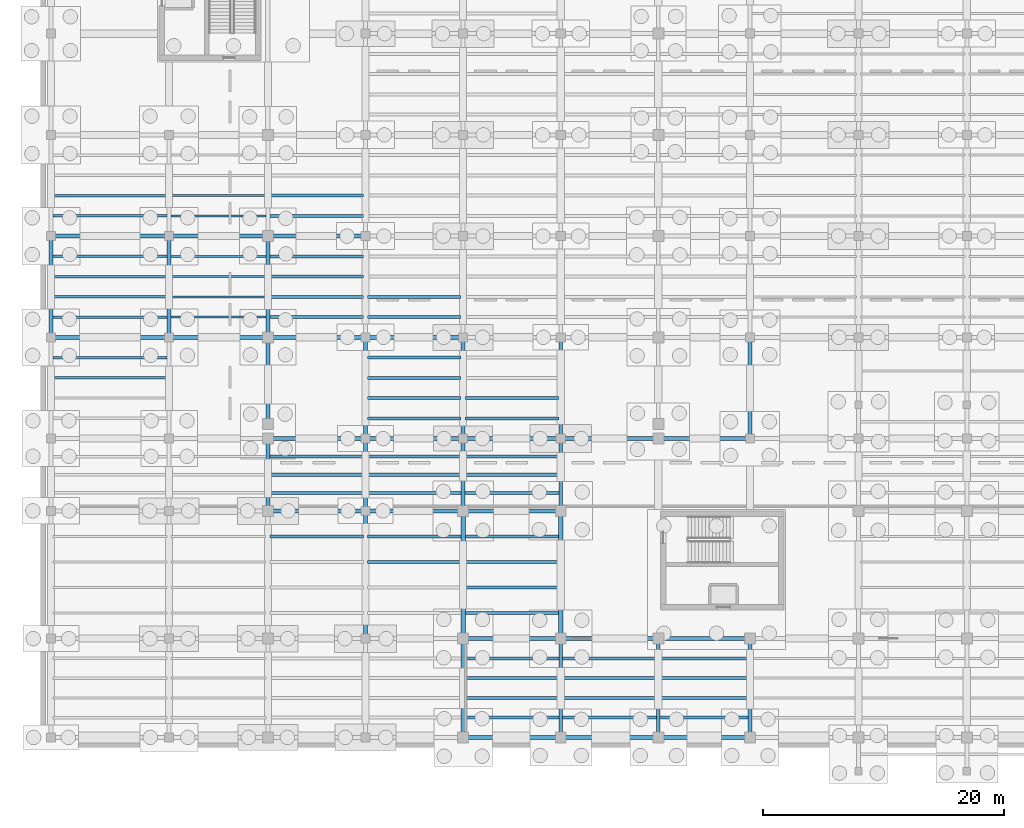
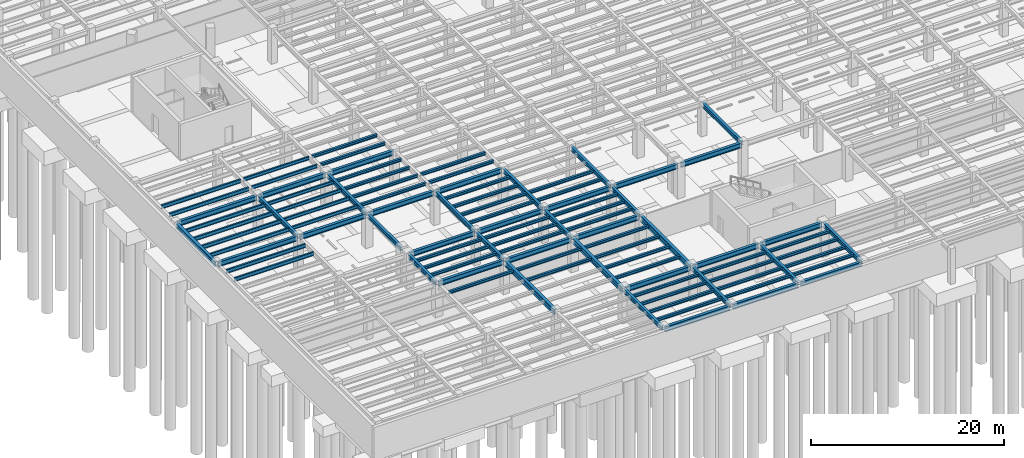
# One storey, part 19 of 49: 96 beams.
"""IFC4 building model written with IfcOpenShell, lengths in metres."""

import ifcopenshell
import ifcopenshell.guid

model = None  # the IFC model being written
_history = None  # IfcOwnerHistory: only IFC2X3 demands one
_inside = {}  # id of a spatial element -> (the spatial element, [elements in it])
_under = {}  # id of a project, library or spatial element -> (it, [spatial elements below it])
_declared = {}  # id of a project -> (the project, [libraries it declares])
_typed = {}  # id of a type object -> (the type object, [elements of that type])
_made_of = {}  # id of a material, layer set ... -> (it, [elements and type objects made of it])


def new_model(schema):
    """Start an empty IFC model of exactly this schema.

    Asked for "IFC4X3", IfcOpenShell would pick the latest addendum, in which some entities
    have other attributes; the version numbers below select the first issue.
    IFC2X3 requires an IfcOwnerHistory on every rooted entity: one is made here for all.
    """
    global model, _history
    if schema == "IFC4X3":
        model = ifcopenshell.file(schema_version=(4, 3, 0, 0))
    else:
        model = ifcopenshell.file(schema=schema)
    _inside.clear()
    _under.clear()
    _declared.clear()
    _typed.clear()
    _made_of.clear()
    _history = None
    if model.schema == "IFC2X3":
        org = make("IfcOrganization", Name="unknown")
        user = make(
            "IfcPersonAndOrganization",
            ThePerson=make("IfcPerson", FamilyName="unknown"),
            TheOrganization=org,
        )
        app = make(
            "IfcApplication",
            ApplicationDeveloper=org,
            Version="unknown",
            ApplicationFullName="unknown",
            ApplicationIdentifier="unknown",
        )
        _history = make(
            "IfcOwnerHistory",
            OwningUser=user,
            OwningApplication=app,
            ChangeAction="ADDED",
            CreationDate=0,
        )
    return model


def make(cls, **values):
    """One entity of the class cls with the attributes given. An attribute that is None is left unset."""
    return model.create_entity(
        cls, **{name: value for name, value in values.items() if value is not None}
    )


def rooted(cls, **values):
    """An entity with a GlobalId (a new one), such as an element, a storey or a relation."""
    return make(cls, GlobalId=ifcopenshell.guid.new(), OwnerHistory=_history, **values)


def si_unit(unit_type, name, prefix=None):
    """IfcSIUnit, for example si_unit("LENGTHUNIT", "METRE", prefix="MILLI")."""
    return make("IfcSIUnit", UnitType=unit_type, Prefix=prefix, Name=name)


def assignment(units):
    """IfcUnitAssignment: the units of a project."""
    return None if units is None else make("IfcUnitAssignment", Units=units)


def point(xyz):
    """IfcCartesianPoint."""
    return None if xyz is None else make("IfcCartesianPoint", Coordinates=xyz)


def direction(xyz):
    """IfcDirection."""
    return None if xyz is None else make("IfcDirection", DirectionRatios=xyz)


def frame(location, z_axis=None, x_axis=None):
    """IfcAxis2Placement3D, a coordinate frame: its origin and axes. An axis left out is left unset."""
    return make(
        "IfcAxis2Placement3D",
        Location=point(location),
        Axis=direction(z_axis),
        RefDirection=direction(x_axis),
    )


def frame_2d(location, x_axis=None):
    """IfcAxis2Placement2D, a coordinate frame in the plane: its origin and x axis."""
    return make(
        "IfcAxis2Placement2D", Location=point(location), RefDirection=direction(x_axis)
    )


def origin():
    """The frame at (0, 0, 0) with its axes left unset."""
    return frame((0.0, 0.0, 0.0))


def origin_2d():
    """The frame at (0, 0) in the plane with its x axis left unset."""
    return frame_2d((0.0, 0.0))


def place(relative_to, where):
    """IfcLocalPlacement: puts the frame where relative to a parent placement (None: the world)."""
    return make(
        "IfcLocalPlacement", PlacementRelTo=relative_to, RelativePlacement=where
    )


def context(
    kind, dimensions, precision=None, world=None, true_north=None, identifier=None
):
    """IfcGeometricRepresentationContext, for example the 3D "Model" context."""
    return make(
        "IfcGeometricRepresentationContext",
        ContextIdentifier=identifier,
        ContextType=kind,
        CoordinateSpaceDimension=dimensions,
        Precision=precision,
        WorldCoordinateSystem=world,
        TrueNorth=true_north,
    )


def subcontext(parent, identifier, kind, view, scale=None):
    """IfcGeometricRepresentationSubContext, for example "Body" below "Model"."""
    return make(
        "IfcGeometricRepresentationSubContext",
        ContextIdentifier=identifier,
        ContextType=kind,
        ParentContext=parent,
        TargetScale=scale,
        TargetView=view,
    )


def project(units=None, contexts=None):
    """IfcProject with its units and contexts."""
    return rooted(
        "IfcProject",
        Name="project",
        RepresentationContexts=contexts,
        UnitsInContext=assignment(units),
    )


def spatial(cls, under=None, at=None, **own):
    """A site, building, storey or space (cls), placed at a placement, below another one or the project."""
    s = rooted(cls, ObjectPlacement=at, **own)
    if under is not None:
        _under.setdefault(under.id(), (under, []))[1].append(s)
    return s


def profile(cls, at=None, kind="AREA", **sizes):
    """A parametric profile (cls). Its sizes go by their IFC names, for example OverallWidth=200.0."""
    return make(cls, ProfileType=kind, Position=at, **sizes)


def i_section(**sizes):
    """IfcIShapeProfileDef."""
    return profile("IfcIShapeProfileDef", **sizes)


def extrude(swept, where, along, depth):
    """IfcExtrudedAreaSolid: the profile swept, set in the frame where, extruded along a direction by depth."""
    return make(
        "IfcExtrudedAreaSolid",
        SweptArea=swept,
        Position=where,
        ExtrudedDirection=direction(along),
        Depth=depth,
    )


def shape(context_of_items, identifier, shape_type, items):
    """IfcShapeRepresentation: the items that make up one representation, for example the "Body"."""
    return make(
        "IfcShapeRepresentation",
        ContextOfItems=context_of_items,
        RepresentationIdentifier=identifier,
        RepresentationType=shape_type,
        Items=items,
    )


def material(Name=None, Category=None):
    """IfcMaterial."""
    return make("IfcMaterial", Name=Name, Category=Category)


def material_profile(
    of_material, cross_section, Name=None, Category=None, Priority=None
):
    """IfcMaterialProfile: a cross section and its material."""
    return make(
        "IfcMaterialProfile",
        Name=Name,
        Material=of_material,
        Profile=cross_section,
        Priority=Priority,
        Category=Category,
    )


def profile_set(profiles, Name=None, composite=None):
    """IfcMaterialProfileSet."""
    return make(
        "IfcMaterialProfileSet",
        Name=Name,
        MaterialProfiles=profiles,
        CompositeProfile=composite,
    )


def made_of(thing, what):
    """Note that an element or type object is made of a material, layer set ...; save() writes the relation."""
    if what is not None:
        _made_of.setdefault(what.id(), (what, []))[1].append(thing)
    return thing


def type_object(cls, material=None, **own):
    """A type object (cls), such as IfcWallType, which elements share."""
    return made_of(rooted(cls, **own), material)


def element(
    cls,
    number,
    at=None,
    inside=None,
    cuts=None,
    type_object=None,
    material=None,
    context=None,
    identifier="Body",
    shape_type=None,
    held_by="IfcProductDefinitionShape",
    body=None,
    shapes=None,
    **own,
):
    """One element of the class cls, such as IfcWall. Its Tag is "e" and its number.

    at: its placement. inside: the storey or other place that contains it. cuts: it is an
    opening in that element (IfcRelVoidsElement). A single representation is given by context,
    identifier, shape_type and body (its items); several are given by shapes. held_by: the class
    of the entity that holds the representations. save() writes the other relations.
    """
    e = rooted(cls, Tag="e%d" % number, ObjectPlacement=at, **own)
    if body is not None:
        shapes = [shape(context, identifier, shape_type, body)]
    if shapes is not None:
        e.Representation = make(held_by, Representations=shapes)
    if inside is not None:
        _inside.setdefault(inside.id(), (inside, []))[1].append(e)
    if cuts is not None:
        rooted(
            "IfcRelVoidsElement", RelatingBuildingElement=cuts, RelatedOpeningElement=e
        )
    if type_object is not None:
        _typed.setdefault(type_object.id(), (type_object, []))[1].append(e)
    return made_of(e, material)


def aggregate(whole, parts):
    """IfcRelAggregates: a whole, such as a stair, and the parts it consists of."""
    return rooted("IfcRelAggregates", RelatingObject=whole, RelatedObjects=parts)


def save(model, path):
    """Write the relations noted so far, then the file.

    IfcRelAggregates (storeys below a building ...), IfcRelContainedInSpatialStructure (elements
    in a storey), IfcRelDefinesByType, IfcRelAssociatesMaterial and IfcRelDeclares: one each for
    every whole, place, type object, material and project.
    """
    for whole, parts in _under.values():
        aggregate(whole, parts)
    for where, things in _inside.values():
        rooted(
            "IfcRelContainedInSpatialStructure",
            RelatedElements=things,
            RelatingStructure=where,
        )
    for kind, things in _typed.values():
        rooted("IfcRelDefinesByType", RelatedObjects=things, RelatingType=kind)
    for what, things in _made_of.values():
        rooted("IfcRelAssociatesMaterial", RelatedObjects=things, RelatingMaterial=what)
    for by, libraries in _declared.values():
        rooted("IfcRelDeclares", RelatingContext=by, RelatedDefinitions=libraries)
    model.write(path)


model = new_model("IFC4")

# Units and contexts
model_context = context("Model", 3, precision=1e-05, world=origin(), true_north=direction((0.0, 1.0)))
body_context = subcontext(model_context, "Body", "Model", "MODEL_VIEW")
ifc_project = project(units=[si_unit("LENGTHUNIT", "METRE"), si_unit("AREAUNIT", "SQUARE_METRE"), si_unit("VOLUMEUNIT", "CUBIC_METRE"), si_unit("PLANEANGLEUNIT", "RADIAN"), si_unit("MASSUNIT", "GRAM", prefix="KILO")], contexts=[model_context])

# Site, building, storey
site_placement = place(None, origin())
site = spatial("IfcSite", under=ifc_project, at=site_placement, CompositionType="ELEMENT")
building_placement = place(site_placement, origin())
building = spatial("IfcBuilding", under=site, at=building_placement, Name="Sollismere Congress Hotel", CompositionType="ELEMENT")
storey_placement = place(building_placement, frame((0.0, 0.0, -4.5)))
storey = spatial("IfcBuildingStorey", under=building, at=storey_placement, Name="B1", CompositionType="ELEMENT", Elevation=-4.5)

# Beams
ifc_material = material(Name="Steel ASTM A992 Grade 50", Category="steel")
ifc_material_profile_1 = material_profile(ifc_material, i_section(OverallWidth=0.31494140625, OverallDepth=0.551025390625, WebThickness=0.01513671875, FlangeThickness=0.0244140625, at=origin_2d()), Name="W21X122")
ifc_profile_set_1 = profile_set([ifc_material_profile_1], Name="Steel ASTM A992 Grade 50")
beam_type_1 = type_object("IfcBeamType", Name="BM-G21H", PredefinedType="BEAM", material=ifc_profile_set_1)
beam_1_placement = place(storey_placement, frame((9.800048828125, 33.340087890625, 3.924560546875), z_axis=(0.0, 1.0, 0.0), x_axis=(-1.0, 0.0, 0.0)))
element("IfcBeam", 1, at=beam_1_placement, inside=storey, type_object=beam_type_1, Name="Beam BM-B1-0250", PredefinedType="BEAM", context=body_context, shape_type="SweptSolid", body=[
    extrude(i_section(OverallWidth=0.31494140625, OverallDepth=0.551025390625, WebThickness=0.01513671875, FlangeThickness=0.0244140625, at=origin_2d()), origin(), (0.0, 0.0, 1.0), 8.119873046875),
])
beam_2_placement = place(storey_placement, frame((18.0, 18.93994140625, 3.924560546875), z_axis=(0.0, 1.0, 0.0), x_axis=(-1.0, 0.0, 0.0)))
element("IfcBeam", 2, at=beam_2_placement, inside=storey, type_object=beam_type_1, Name="Beam BM-B1-0258", PredefinedType="BEAM", context=body_context, shape_type="SweptSolid", body=[
    extrude(i_section(OverallWidth=0.31494140625, OverallDepth=0.551025390625, WebThickness=0.01513671875, FlangeThickness=0.0244140625, at=origin_2d()), origin(), (0.0, 0.0, 1.0), 5.719970703125),
])
beam_3_placement = place(storey_placement, frame((18.0, 26.139892578125, 3.924560546875), z_axis=(0.0, 1.0, 0.0), x_axis=(-1.0, 0.0, 0.0)))
element("IfcBeam", 3, at=beam_3_placement, inside=storey, type_object=beam_type_1, Name="Beam BM-B1-0259", PredefinedType="BEAM", context=body_context, shape_type="SweptSolid", body=[
    extrude(i_section(OverallWidth=0.31494140625, OverallDepth=0.551025390625, WebThickness=0.01513671875, FlangeThickness=0.0244140625, at=origin_2d()), origin(), (0.0, 0.0, 1.0), 6.920166015625),
])
beam_4_placement = place(storey_placement, frame((18.0, 33.340087890625, 3.924560546875), z_axis=(0.0, 1.0, 0.0), x_axis=(-1.0, 0.0, 0.0)))
element("IfcBeam", 4, at=beam_4_placement, inside=storey, type_object=beam_type_1, Name="Beam BM-B1-0260", PredefinedType="BEAM", context=body_context, shape_type="SweptSolid", body=[
    extrude(i_section(OverallWidth=0.31494140625, OverallDepth=0.551025390625, WebThickness=0.01513671875, FlangeThickness=0.0244140625, at=origin_2d()), origin(), (0.0, 0.0, 1.0), 8.119873046875),
])
beam_5_placement = place(storey_placement, frame((26.10009765625, 18.93994140625, 3.924560546875), z_axis=(0.0, 1.0, 0.0), x_axis=(-1.0, 0.0, 0.0)))
element("IfcBeam", 5, at=beam_5_placement, inside=storey, type_object=beam_type_1, Name="Beam BM-B1-0270", PredefinedType="BEAM", context=body_context, shape_type="SweptSolid", body=[
    extrude(i_section(OverallWidth=0.31494140625, OverallDepth=0.551025390625, WebThickness=0.01513671875, FlangeThickness=0.0244140625, at=origin_2d()), origin(), (0.0, 0.0, 1.0), 5.719970703125),
])
beam_6_placement = place(storey_placement, frame((26.10009765625, 24.93994140625, 3.924560546875), z_axis=(0.0, 1.0, 0.0), x_axis=(-1.0, 0.0, 0.0)))
element("IfcBeam", 6, at=beam_6_placement, inside=storey, type_object=beam_type_1, Name="Beam BM-B1-0271", PredefinedType="BEAM", context=body_context, shape_type="SweptSolid", body=[
    extrude(i_section(OverallWidth=0.31494140625, OverallDepth=0.551025390625, WebThickness=0.01513671875, FlangeThickness=0.0244140625, at=origin_2d()), origin(), (0.0, 0.0, 1.0), 8.1201171875),
])
beam_7_placement = place(storey_placement, frame((34.199951171875, 0.139892578125, 3.924560546875), z_axis=(0.0, 1.0, 0.0), x_axis=(-1.0, 0.0, 0.0)))
element("IfcBeam", 7, at=beam_7_placement, inside=storey, type_object=beam_type_1, Name="Beam BM-B1-0281", PredefinedType="BEAM", context=body_context, shape_type="SweptSolid", body=[
    extrude(i_section(OverallWidth=0.31494140625, OverallDepth=0.551025390625, WebThickness=0.01513671875, FlangeThickness=0.0244140625, at=origin_2d()), origin(), (0.0, 0.0, 1.0), 7.920166015625),
])
beam_8_placement = place(storey_placement, frame((34.199951171875, 18.93994140625, 3.924560546875), z_axis=(0.0, 1.0, 0.0), x_axis=(-1.0, 0.0, 0.0)))
element("IfcBeam", 8, at=beam_8_placement, inside=storey, type_object=beam_type_1, Name="Beam BM-B1-0283", PredefinedType="BEAM", context=body_context, shape_type="SweptSolid", body=[
    extrude(i_section(OverallWidth=0.31494140625, OverallDepth=0.551025390625, WebThickness=0.01513671875, FlangeThickness=0.0244140625, at=origin_2d()), origin(), (0.0, 0.0, 1.0), 5.719970703125),
])
beam_9_placement = place(storey_placement, frame((34.199951171875, 24.93994140625, 3.924560546875), z_axis=(0.0, 1.0, 0.0), x_axis=(-1.0, 0.0, 0.0)))
element("IfcBeam", 9, at=beam_9_placement, inside=storey, type_object=beam_type_1, Name="Beam BM-B1-0284", PredefinedType="BEAM", context=body_context, shape_type="SweptSolid", body=[
    extrude(i_section(OverallWidth=0.31494140625, OverallDepth=0.551025390625, WebThickness=0.01513671875, FlangeThickness=0.0244140625, at=origin_2d()), origin(), (0.0, 0.0, 1.0), 8.1201171875),
])
beam_10_placement = place(storey_placement, frame((42.300048828125, 0.139892578125, 3.924560546875), z_axis=(0.0, 1.0, 0.0), x_axis=(-1.0, 0.0, 0.0)))
element("IfcBeam", 10, at=beam_10_placement, inside=storey, type_object=beam_type_1, Name="Beam BM-B1-0294", PredefinedType="BEAM", context=body_context, shape_type="SweptSolid", body=[
    extrude(i_section(OverallWidth=0.31494140625, OverallDepth=0.551025390625, WebThickness=0.01513671875, FlangeThickness=0.0244140625, at=origin_2d()), origin(), (0.0, 0.0, 1.0), 7.920166015625),
])
beam_11_placement = place(storey_placement, frame((42.300048828125, 18.93994140625, 3.924560546875), z_axis=(0.0, 1.0, 0.0), x_axis=(-1.0, 0.0, 0.0)))
element("IfcBeam", 11, at=beam_11_placement, inside=storey, type_object=beam_type_1, Name="Beam BM-B1-0296", PredefinedType="BEAM", context=body_context, shape_type="SweptSolid", body=[
    extrude(i_section(OverallWidth=0.31494140625, OverallDepth=0.551025390625, WebThickness=0.01513671875, FlangeThickness=0.0244140625, at=origin_2d()), origin(), (0.0, 0.0, 1.0), 5.719970703125),
])
beam_12_placement = place(storey_placement, frame((42.300048828125, 24.93994140625, 3.924560546875), z_axis=(0.0, 1.0, 0.0), x_axis=(-1.0, 0.0, 0.0)))
element("IfcBeam", 12, at=beam_12_placement, inside=storey, type_object=beam_type_1, Name="Beam BM-B1-0297", PredefinedType="BEAM", context=body_context, shape_type="SweptSolid", body=[
    extrude(i_section(OverallWidth=0.31494140625, OverallDepth=0.551025390625, WebThickness=0.01513671875, FlangeThickness=0.0244140625, at=origin_2d()), origin(), (0.0, 0.0, 1.0), 8.1201171875),
])
for number, where, z_axis, x_axis, name in (
    (13, (50.39990234375, 0.139892578125, 3.924560546875), (0.0, 1.0, 0.0), (-1.0, 0.0, 0.0), "Beam BM-B1-0307"),
    (14, (58.0, 0.139892578125, 3.924560546875), (0.0, 1.0, 0.0), (-1.0, 0.0, 0.0), "Beam BM-B1-0315"),
):
    element("IfcBeam", number, at=place(storey_placement, frame(where, z_axis=z_axis, x_axis=x_axis)), inside=storey, type_object=beam_type_1, Name=name, PredefinedType="BEAM", context=body_context, shape_type="SweptSolid", body=[
        extrude(i_section(OverallWidth=0.31494140625, OverallDepth=0.551025390625, WebThickness=0.01513671875, FlangeThickness=0.0244140625, at=origin_2d()), origin(), (0.0, 0.0, 1.0), 7.920166015625),
    ])
beam_13_placement = place(storey_placement, frame((58.0, 24.93994140625, 3.924560546875), z_axis=(0.0, 1.0, 0.0), x_axis=(-1.0, 0.0, 0.0)))
element("IfcBeam", 15, at=beam_13_placement, inside=storey, type_object=beam_type_1, Name="Beam BM-B1-0316", PredefinedType="BEAM", context=body_context, shape_type="SweptSolid", body=[
    extrude(i_section(OverallWidth=0.31494140625, OverallDepth=0.551025390625, WebThickness=0.01513671875, FlangeThickness=0.0244140625, at=origin_2d()), origin(), (0.0, 0.0, 1.0), 8.1201171875),
])
ifc_material_profile_2 = material_profile(ifc_material, i_section(OverallWidth=0.324951171875, OverallDepth=0.612060546875, WebThickness=0.0126953125, FlangeThickness=0.01904296875, at=origin_2d()), Name="W24X104")
ifc_profile_set_2 = profile_set([ifc_material_profile_2], Name="Steel ASTM A992 Grade 50")
beam_type_2 = type_object("IfcBeamType", Name="BM-G24", PredefinedType="BEAM", material=ifc_profile_set_2)
beam_14_placement = place(storey_placement, frame((34.340087890625, 8.199951171875, 3.89404296875), z_axis=(1.0, 0.0, 0.0), x_axis=(0.0, 1.0, 0.0)))
element("IfcBeam", 16, at=beam_14_placement, inside=storey, type_object=beam_type_2, Name="Beam BM-B1-0023", PredefinedType="BEAM", context=body_context, shape_type="SweptSolid", body=[
    extrude(i_section(OverallWidth=0.324951171875, OverallDepth=0.612060546875, WebThickness=0.0126953125, FlangeThickness=0.01904296875, at=origin_2d()), origin(), (0.0, 0.0, 1.0), 7.81982421875),
])
beam_15_placement = place(storey_placement, frame((42.43994140625, 8.199951171875, 3.89404296875), z_axis=(1.0, 0.0, 0.0), x_axis=(0.0, 1.0, 0.0)))
element("IfcBeam", 17, at=beam_15_placement, inside=storey, type_object=beam_type_2, Name="Beam BM-B1-0024", PredefinedType="BEAM", context=body_context, shape_type="SweptSolid", body=[
    extrude(i_section(OverallWidth=0.324951171875, OverallDepth=0.612060546875, WebThickness=0.0126953125, FlangeThickness=0.01904296875, at=origin_2d()), origin(), (0.0, 0.0, 1.0), 7.820068359375),
])
beam_16_placement = place(storey_placement, frame((50.5400390625, 8.199951171875, 3.89404296875), z_axis=(1.0, 0.0, 0.0), x_axis=(0.0, 1.0, 0.0)))
element("IfcBeam", 18, at=beam_16_placement, inside=storey, type_object=beam_type_2, Name="Beam BM-B1-0025", PredefinedType="BEAM", context=body_context, shape_type="SweptSolid", body=[
    extrude(i_section(OverallWidth=0.324951171875, OverallDepth=0.612060546875, WebThickness=0.0126953125, FlangeThickness=0.01904296875, at=origin_2d()), origin(), (0.0, 0.0, 1.0), 7.320068359375),
])
for number, where, z_axis, x_axis, name in (
    (19, (18.139892578125, 18.800048828125, 3.89404296875), (1.0, 0.0, 0.0), (0.0, 1.0, 0.0), "Beam BM-B1-0039"),
    (20, (26.239990234375, 18.800048828125, 3.89404296875), (1.0, 0.0, 0.0), (0.0, 1.0, 0.0), "Beam BM-B1-0040"),
):
    element("IfcBeam", number, at=place(storey_placement, frame(where, z_axis=z_axis, x_axis=x_axis)), inside=storey, type_object=beam_type_2, Name=name, PredefinedType="BEAM", context=body_context, shape_type="SweptSolid", body=[
        extrude(i_section(OverallWidth=0.324951171875, OverallDepth=0.612060546875, WebThickness=0.0126953125, FlangeThickness=0.01904296875, at=origin_2d()), origin(), (0.0, 0.0, 1.0), 7.820068359375),
    ])
beam_17_placement = place(storey_placement, frame((34.340087890625, 18.800048828125, 3.89404296875), z_axis=(1.0, 0.0, 0.0), x_axis=(0.0, 1.0, 0.0)))
element("IfcBeam", 21, at=beam_17_placement, inside=storey, type_object=beam_type_2, Name="Beam BM-B1-0041", PredefinedType="BEAM", context=body_context, shape_type="SweptSolid", body=[
    extrude(i_section(OverallWidth=0.324951171875, OverallDepth=0.612060546875, WebThickness=0.0126953125, FlangeThickness=0.01904296875, at=origin_2d()), origin(), (0.0, 0.0, 1.0), 7.81982421875),
])
for number, where, z_axis, x_axis, name in (
    (22, (18.139892578125, 24.800048828125, 3.89404296875), (1.0, 0.0, 0.0), (0.0, 1.0, 0.0), "Beam BM-B1-0048"),
    (23, (26.239990234375, 24.800048828125, 3.89404296875), (1.0, 0.0, 0.0), (0.0, 1.0, 0.0), "Beam BM-B1-0049"),
):
    element("IfcBeam", number, at=place(storey_placement, frame(where, z_axis=z_axis, x_axis=x_axis)), inside=storey, type_object=beam_type_2, Name=name, PredefinedType="BEAM", context=body_context, shape_type="SweptSolid", body=[
        extrude(i_section(OverallWidth=0.324951171875, OverallDepth=0.612060546875, WebThickness=0.0126953125, FlangeThickness=0.01904296875, at=origin_2d()), origin(), (0.0, 0.0, 1.0), 7.820068359375),
    ])
beam_18_placement = place(storey_placement, frame((34.340087890625, 24.800048828125, 3.89404296875), z_axis=(1.0, 0.0, 0.0), x_axis=(0.0, 1.0, 0.0)))
element("IfcBeam", 24, at=beam_18_placement, inside=storey, type_object=beam_type_2, Name="Beam BM-B1-0050", PredefinedType="BEAM", context=body_context, shape_type="SweptSolid", body=[
    extrude(i_section(OverallWidth=0.324951171875, OverallDepth=0.612060546875, WebThickness=0.0126953125, FlangeThickness=0.01904296875, at=origin_2d()), origin(), (0.0, 0.0, 1.0), 7.81982421875),
])
beam_19_placement = place(storey_placement, frame((42.43994140625, 24.800048828125, 3.89404296875), z_axis=(1.0, 0.0, 0.0), x_axis=(0.0, 1.0, 0.0)))
element("IfcBeam", 25, at=beam_19_placement, inside=storey, type_object=beam_type_2, Name="Beam BM-B1-0051", PredefinedType="BEAM", context=body_context, shape_type="SweptSolid", body=[
    extrude(i_section(OverallWidth=0.324951171875, OverallDepth=0.612060546875, WebThickness=0.0126953125, FlangeThickness=0.01904296875, at=origin_2d()), origin(), (0.0, 0.0, 1.0), 7.820068359375),
])
beam_20_placement = place(storey_placement, frame((50.5400390625, 24.800048828125, 3.89404296875), z_axis=(1.0, 0.0, 0.0), x_axis=(0.0, 1.0, 0.0)))
element("IfcBeam", 26, at=beam_20_placement, inside=storey, type_object=beam_type_2, Name="Beam BM-B1-0052", PredefinedType="BEAM", context=body_context, shape_type="SweptSolid", body=[
    extrude(i_section(OverallWidth=0.324951171875, OverallDepth=0.612060546875, WebThickness=0.0126953125, FlangeThickness=0.01904296875, at=origin_2d()), origin(), (0.0, 0.0, 1.0), 7.320068359375),
])
beam_21_placement = place(storey_placement, frame((0.139892578125, 33.199951171875, 3.89404296875), z_axis=(1.0, 0.0, 0.0), x_axis=(0.0, 1.0, 0.0)))
element("IfcBeam", 27, at=beam_21_placement, inside=storey, type_object=beam_type_2, Name="Beam BM-B1-0064", PredefinedType="BEAM", context=body_context, shape_type="SweptSolid", body=[
    extrude(i_section(OverallWidth=0.324951171875, OverallDepth=0.612060546875, WebThickness=0.0126953125, FlangeThickness=0.01904296875, at=origin_2d()), origin(), (0.0, 0.0, 1.0), 9.52001953125),
])
beam_22_placement = place(storey_placement, frame((9.93994140625, 33.199951171875, 3.89404296875), z_axis=(1.0, 0.0, 0.0), x_axis=(0.0, 1.0, 0.0)))
element("IfcBeam", 28, at=beam_22_placement, inside=storey, type_object=beam_type_2, Name="Beam BM-B1-0065", PredefinedType="BEAM", context=body_context, shape_type="SweptSolid", body=[
    extrude(i_section(OverallWidth=0.324951171875, OverallDepth=0.612060546875, WebThickness=0.0126953125, FlangeThickness=0.01904296875, at=origin_2d()), origin(), (0.0, 0.0, 1.0), 7.920166015625),
])
for number, where, z_axis, x_axis, name in (
    (29, (18.139892578125, 33.199951171875, 3.89404296875), (1.0, 0.0, 0.0), (0.0, 1.0, 0.0), "Beam BM-B1-0066"),
    (30, (26.239990234375, 33.199951171875, 3.89404296875), (1.0, 0.0, 0.0), (0.0, 1.0, 0.0), "Beam BM-B1-0067"),
):
    element("IfcBeam", number, at=place(storey_placement, frame(where, z_axis=z_axis, x_axis=x_axis)), inside=storey, type_object=beam_type_2, Name=name, PredefinedType="BEAM", context=body_context, shape_type="SweptSolid", body=[
        extrude(i_section(OverallWidth=0.324951171875, OverallDepth=0.612060546875, WebThickness=0.0126953125, FlangeThickness=0.01904296875, at=origin_2d()), origin(), (0.0, 0.0, 1.0), 7.820068359375),
    ])
beam_23_placement = place(storey_placement, frame((0.139892578125, 41.60009765625, 3.89404296875), z_axis=(1.0, 0.0, 0.0), x_axis=(0.0, 1.0, 0.0)))
element("IfcBeam", 31, at=beam_23_placement, inside=storey, type_object=beam_type_2, Name="Beam BM-B1-0082", PredefinedType="BEAM", context=body_context, shape_type="SweptSolid", body=[
    extrude(i_section(OverallWidth=0.324951171875, OverallDepth=0.612060546875, WebThickness=0.0126953125, FlangeThickness=0.01904296875, at=origin_2d()), origin(), (0.0, 0.0, 1.0), 9.52001953125),
])
beam_24_placement = place(storey_placement, frame((9.93994140625, 41.60009765625, 3.89404296875), z_axis=(1.0, 0.0, 0.0), x_axis=(0.0, 1.0, 0.0)))
element("IfcBeam", 32, at=beam_24_placement, inside=storey, type_object=beam_type_2, Name="Beam BM-B1-0083", PredefinedType="BEAM", context=body_context, shape_type="SweptSolid", body=[
    extrude(i_section(OverallWidth=0.324951171875, OverallDepth=0.612060546875, WebThickness=0.0126953125, FlangeThickness=0.01904296875, at=origin_2d()), origin(), (0.0, 0.0, 1.0), 7.920166015625),
])
beam_25_placement = place(storey_placement, frame((18.139892578125, 41.60009765625, 3.89404296875), z_axis=(1.0, 0.0, 0.0), x_axis=(0.0, 1.0, 0.0)))
element("IfcBeam", 33, at=beam_25_placement, inside=storey, type_object=beam_type_2, Name="Beam BM-B1-0084", PredefinedType="BEAM", context=body_context, shape_type="SweptSolid", body=[
    extrude(i_section(OverallWidth=0.324951171875, OverallDepth=0.612060546875, WebThickness=0.0126953125, FlangeThickness=0.01904296875, at=origin_2d()), origin(), (0.0, 0.0, 1.0), 7.820068359375),
])
ifc_material_profile_3 = material_profile(ifc_material, i_section(OverallWidth=0.35595703125, OverallDepth=0.696044921875, WebThickness=0.015380859375, FlangeThickness=0.025146484375, at=origin_2d()), Name="W27X146")
ifc_profile_set_3 = profile_set([ifc_material_profile_3], Name="Steel ASTM A992 Grade 50")
beam_type_3 = type_object("IfcBeamType", Name="BM-G27", PredefinedType="BEAM", material=ifc_profile_set_3)
for number, where, z_axis, x_axis, name in (
    (34, (26.10009765625, 8.340087890625, 3.85205078125), (0.0, 1.0, 0.0), (-1.0, 0.0, 0.0), "Beam BM-B1-0269"),
    (35, (34.199951171875, 8.340087890625, 3.85205078125), (0.0, 1.0, 0.0), (-1.0, 0.0, 0.0), "Beam BM-B1-0282"),
    (36, (42.300048828125, 8.340087890625, 3.85205078125), (0.0, 1.0, 0.0), (-1.0, 0.0, 0.0), "Beam BM-B1-0295"),
):
    element("IfcBeam", number, at=place(storey_placement, frame(where, z_axis=z_axis, x_axis=x_axis)), inside=storey, type_object=beam_type_3, Name=name, PredefinedType="BEAM", context=body_context, shape_type="SweptSolid", body=[
        extrude(i_section(OverallWidth=0.35595703125, OverallDepth=0.696044921875, WebThickness=0.015380859375, FlangeThickness=0.025146484375, at=origin_2d()), origin(), (0.0, 0.0, 1.0), 10.31982421875),
    ])
ifc_material_profile_4 = material_profile(ifc_material, i_section(OverallWidth=0.25390625, OverallDepth=0.35595703125, WebThickness=0.010498046875, FlangeThickness=0.018310546875, at=origin_2d()), Name="W14X68")
ifc_profile_set_4 = profile_set([ifc_material_profile_4], Name="Steel ASTM A992 Grade 50")
beam_type_4 = type_object("IfcBeamType", Name="BM-J14", PredefinedType="JOIST", material=ifc_profile_set_4)
beam_26_placement = place(storey_placement, frame((18.177978515625, 16.679931640625, 4.02197265625), z_axis=(1.0, 0.0, 0.0), x_axis=(0.0, 1.0, 0.0)))
element("IfcBeam", 37, at=beam_26_placement, inside=storey, type_object=beam_type_4, Name="Beam BM-B1-0541", PredefinedType="JOIST", context=body_context, shape_type="SweptSolid", body=[
    extrude(i_section(OverallWidth=0.25390625, OverallDepth=0.35595703125, WebThickness=0.010498046875, FlangeThickness=0.018310546875, at=origin_2d()), origin(), (0.0, 0.0, 1.0), 7.744140625),
])
for number, where, z_axis, x_axis, name in (
    (38, (18.157470703125, 20.300048828125, 4.02197265625), (1.0, 0.0, 0.0), (0.0, 1.0, 0.0), "Beam BM-B1-0542"),
    (39, (18.157470703125, 21.800048828125, 4.02197265625), (1.0, 0.0, 0.0), (0.0, 1.0, 0.0), "Beam BM-B1-0543"),
    (40, (18.157470703125, 23.300048828125, 4.02197265625), (1.0, 0.0, 0.0), (0.0, 1.0, 0.0), "Beam BM-B1-0544"),
    (41, (18.157470703125, 34.8798828125, 4.02197265625), (1.0, 0.0, 0.0), (0.0, 1.0, 0.0), "Beam BM-B1-0545"),
    (42, (18.157470703125, 36.56005859375, 4.02197265625), (1.0, 0.0, 0.0), (0.0, 1.0, 0.0), "Beam BM-B1-0546"),
    (43, (18.157470703125, 38.239990234375, 4.02197265625), (1.0, 0.0, 0.0), (0.0, 1.0, 0.0), "Beam BM-B1-0547"),
    (44, (18.157470703125, 39.919921875, 4.02197265625), (1.0, 0.0, 0.0), (0.0, 1.0, 0.0), "Beam BM-B1-0548"),
    (45, (18.157470703125, 43.280029296875, 4.02197265625), (1.0, 0.0, 0.0), (0.0, 1.0, 0.0), "Beam BM-B1-0549"),
    (46, (18.157470703125, 44.9599609375, 4.02197265625), (1.0, 0.0, 0.0), (0.0, 1.0, 0.0), "Beam BM-B1-0550"),
):
    element("IfcBeam", number, at=place(storey_placement, frame(where, z_axis=z_axis, x_axis=x_axis)), inside=storey, type_object=beam_type_4, Name=name, PredefinedType="JOIST", context=body_context, shape_type="SweptSolid", body=[
        extrude(i_section(OverallWidth=0.25390625, OverallDepth=0.35595703125, WebThickness=0.010498046875, FlangeThickness=0.018310546875, at=origin_2d()), origin(), (0.0, 0.0, 1.0), 7.784912109375),
    ])
for number, where, z_axis, x_axis, name in (
    (47, (26.278076171875, 14.56005859375, 4.02197265625), (1.0, 0.0, 0.0), (0.0, 1.0, 0.0), "Beam BM-B1-0575"),
    (48, (26.278076171875, 16.679931640625, 4.02197265625), (1.0, 0.0, 0.0), (0.0, 1.0, 0.0), "Beam BM-B1-0576"),
):
    element("IfcBeam", number, at=place(storey_placement, frame(where, z_axis=z_axis, x_axis=x_axis)), inside=storey, type_object=beam_type_4, Name=name, PredefinedType="JOIST", context=body_context, shape_type="SweptSolid", body=[
        extrude(i_section(OverallWidth=0.25390625, OverallDepth=0.35595703125, WebThickness=0.010498046875, FlangeThickness=0.018310546875, at=origin_2d()), origin(), (0.0, 0.0, 1.0), 7.743896484375),
    ])
for number, where, z_axis, x_axis, name in (
    (49, (26.257568359375, 20.300048828125, 4.02197265625), (1.0, 0.0, 0.0), (0.0, 1.0, 0.0), "Beam BM-B1-0577"),
    (50, (26.257568359375, 21.800048828125, 4.02197265625), (1.0, 0.0, 0.0), (0.0, 1.0, 0.0), "Beam BM-B1-0578"),
    (51, (26.257568359375, 23.300048828125, 4.02197265625), (1.0, 0.0, 0.0), (0.0, 1.0, 0.0), "Beam BM-B1-0579"),
    (52, (26.257568359375, 26.47998046875, 4.02197265625), (1.0, 0.0, 0.0), (0.0, 1.0, 0.0), "Beam BM-B1-0580"),
    (53, (26.257568359375, 28.159912109375, 4.02197265625), (1.0, 0.0, 0.0), (0.0, 1.0, 0.0), "Beam BM-B1-0581"),
    (54, (26.257568359375, 29.840087890625, 4.02197265625), (1.0, 0.0, 0.0), (0.0, 1.0, 0.0), "Beam BM-B1-0582"),
    (55, (26.257568359375, 31.52001953125, 4.02197265625), (1.0, 0.0, 0.0), (0.0, 1.0, 0.0), "Beam BM-B1-0583"),
    (56, (26.257568359375, 34.8798828125, 4.02197265625), (1.0, 0.0, 0.0), (0.0, 1.0, 0.0), "Beam BM-B1-0584"),
    (57, (26.257568359375, 36.56005859375, 4.02197265625), (1.0, 0.0, 0.0), (0.0, 1.0, 0.0), "Beam BM-B1-0585"),
):
    element("IfcBeam", number, at=place(storey_placement, frame(where, z_axis=z_axis, x_axis=x_axis)), inside=storey, type_object=beam_type_4, Name=name, PredefinedType="JOIST", context=body_context, shape_type="SweptSolid", body=[
        extrude(i_section(OverallWidth=0.25390625, OverallDepth=0.35595703125, WebThickness=0.010498046875, FlangeThickness=0.018310546875, at=origin_2d()), origin(), (0.0, 0.0, 1.0), 7.784912109375),
    ])
for number, where, z_axis, x_axis, name in (
    (58, (34.357421875, 1.639892578125, 4.02197265625), (1.0, 0.0, 0.0), (0.0, 1.0, 0.0), "Beam BM-B1-0620"),
    (59, (34.357421875, 3.280029296875, 4.02197265625), (1.0, 0.0, 0.0), (0.0, 1.0, 0.0), "Beam BM-B1-0621"),
    (60, (34.357421875, 4.919921875, 4.02197265625), (1.0, 0.0, 0.0), (0.0, 1.0, 0.0), "Beam BM-B1-0622"),
    (61, (34.357421875, 6.56005859375, 4.02197265625), (1.0, 0.0, 0.0), (0.0, 1.0, 0.0), "Beam BM-B1-0623"),
):
    element("IfcBeam", number, at=place(storey_placement, frame(where, z_axis=z_axis, x_axis=x_axis)), inside=storey, type_object=beam_type_4, Name=name, PredefinedType="JOIST", context=body_context, shape_type="SweptSolid", body=[
        extrude(i_section(OverallWidth=0.25390625, OverallDepth=0.35595703125, WebThickness=0.010498046875, FlangeThickness=0.018310546875, at=origin_2d()), origin(), (0.0, 0.0, 1.0), 7.78515625),
    ])
for number, where, z_axis, x_axis, name in (
    (62, (34.3779296875, 10.320068359375, 4.02197265625), (1.0, 0.0, 0.0), (0.0, 1.0, 0.0), "Beam BM-B1-0624"),
    (63, (34.3779296875, 12.43994140625, 4.02197265625), (1.0, 0.0, 0.0), (0.0, 1.0, 0.0), "Beam BM-B1-0625"),
    (64, (34.3779296875, 14.56005859375, 4.02197265625), (1.0, 0.0, 0.0), (0.0, 1.0, 0.0), "Beam BM-B1-0626"),
    (65, (34.3779296875, 16.679931640625, 4.02197265625), (1.0, 0.0, 0.0), (0.0, 1.0, 0.0), "Beam BM-B1-0627"),
):
    element("IfcBeam", number, at=place(storey_placement, frame(where, z_axis=z_axis, x_axis=x_axis)), inside=storey, type_object=beam_type_4, Name=name, PredefinedType="JOIST", context=body_context, shape_type="SweptSolid", body=[
        extrude(i_section(OverallWidth=0.25390625, OverallDepth=0.35595703125, WebThickness=0.010498046875, FlangeThickness=0.018310546875, at=origin_2d()), origin(), (0.0, 0.0, 1.0), 7.744140625),
    ])
for number, where, z_axis, x_axis, name in (
    (66, (34.357421875, 20.300048828125, 4.02197265625), (1.0, 0.0, 0.0), (0.0, 1.0, 0.0), "Beam BM-B1-0628"),
    (67, (34.357421875, 21.800048828125, 4.02197265625), (1.0, 0.0, 0.0), (0.0, 1.0, 0.0), "Beam BM-B1-0629"),
    (68, (34.357421875, 23.300048828125, 4.02197265625), (1.0, 0.0, 0.0), (0.0, 1.0, 0.0), "Beam BM-B1-0630"),
    (69, (34.357421875, 26.47998046875, 4.02197265625), (1.0, 0.0, 0.0), (0.0, 1.0, 0.0), "Beam BM-B1-0631"),
    (70, (34.357421875, 28.159912109375, 4.02197265625), (1.0, 0.0, 0.0), (0.0, 1.0, 0.0), "Beam BM-B1-0632"),
):
    element("IfcBeam", number, at=place(storey_placement, frame(where, z_axis=z_axis, x_axis=x_axis)), inside=storey, type_object=beam_type_4, Name=name, PredefinedType="JOIST", context=body_context, shape_type="SweptSolid", body=[
        extrude(i_section(OverallWidth=0.25390625, OverallDepth=0.35595703125, WebThickness=0.010498046875, FlangeThickness=0.018310546875, at=origin_2d()), origin(), (0.0, 0.0, 1.0), 7.78515625),
    ])
for number, where, z_axis, x_axis, name in (
    (71, (42.45751953125, 1.639892578125, 4.02197265625), (1.0, 0.0, 0.0), (0.0, 1.0, 0.0), "Beam BM-B1-0671"),
    (72, (42.45751953125, 3.280029296875, 4.02197265625), (1.0, 0.0, 0.0), (0.0, 1.0, 0.0), "Beam BM-B1-0672"),
    (73, (42.45751953125, 4.919921875, 4.02197265625), (1.0, 0.0, 0.0), (0.0, 1.0, 0.0), "Beam BM-B1-0673"),
    (74, (42.45751953125, 6.56005859375, 4.02197265625), (1.0, 0.0, 0.0), (0.0, 1.0, 0.0), "Beam BM-B1-0674"),
):
    element("IfcBeam", number, at=place(storey_placement, frame(where, z_axis=z_axis, x_axis=x_axis)), inside=storey, type_object=beam_type_4, Name=name, PredefinedType="JOIST", context=body_context, shape_type="SweptSolid", body=[
        extrude(i_section(OverallWidth=0.25390625, OverallDepth=0.35595703125, WebThickness=0.010498046875, FlangeThickness=0.018310546875, at=origin_2d()), origin(), (0.0, 0.0, 1.0), 7.784912109375),
    ])
for number, where, z_axis, x_axis, name in (
    (75, (50.5576171875, 1.639892578125, 4.02197265625), (1.0, 0.0, 0.0), (0.0, 1.0, 0.0), "Beam BM-B1-0691"),
    (76, (50.5576171875, 3.280029296875, 4.02197265625), (1.0, 0.0, 0.0), (0.0, 1.0, 0.0), "Beam BM-B1-0692"),
    (77, (50.5576171875, 4.919921875, 4.02197265625), (1.0, 0.0, 0.0), (0.0, 1.0, 0.0), "Beam BM-B1-0693"),
    (78, (50.5576171875, 6.56005859375, 4.02197265625), (1.0, 0.0, 0.0), (0.0, 1.0, 0.0), "Beam BM-B1-0694"),
):
    element("IfcBeam", number, at=place(storey_placement, frame(where, z_axis=z_axis, x_axis=x_axis)), inside=storey, type_object=beam_type_4, Name=name, PredefinedType="JOIST", context=body_context, shape_type="SweptSolid", body=[
        extrude(i_section(OverallWidth=0.25390625, OverallDepth=0.35595703125, WebThickness=0.010498046875, FlangeThickness=0.018310546875, at=origin_2d()), origin(), (0.0, 0.0, 1.0), 7.284912109375),
    ])
ifc_material_profile_5 = material_profile(ifc_material, i_section(OverallWidth=0.180908203125, OverallDepth=0.4169921875, WebThickness=0.010986328125, FlangeThickness=0.018310546875, at=origin_2d()), Name="W16X57")
ifc_profile_set_5 = profile_set([ifc_material_profile_5], Name="Steel ASTM A992 Grade 50")
beam_type_5 = type_object("IfcBeamType", Name="BM-J16", PredefinedType="JOIST", material=ifc_profile_set_5)
for number, where, z_axis, x_axis, name in (
    (79, (9.95751953125, 34.8798828125, 3.991455078125), (1.0, 0.0, 0.0), (0.0, 1.0, 0.0), "Beam BM-B1-0510"),
    (80, (9.95751953125, 36.56005859375, 3.991455078125), (1.0, 0.0, 0.0), (0.0, 1.0, 0.0), "Beam BM-B1-0511"),
    (81, (9.95751953125, 38.239990234375, 3.991455078125), (1.0, 0.0, 0.0), (0.0, 1.0, 0.0), "Beam BM-B1-0512"),
    (82, (9.95751953125, 39.919921875, 3.991455078125), (1.0, 0.0, 0.0), (0.0, 1.0, 0.0), "Beam BM-B1-0513"),
    (83, (9.95751953125, 43.280029296875, 3.991455078125), (1.0, 0.0, 0.0), (0.0, 1.0, 0.0), "Beam BM-B1-0514"),
    (84, (9.95751953125, 44.9599609375, 3.991455078125), (1.0, 0.0, 0.0), (0.0, 1.0, 0.0), "Beam BM-B1-0515"),
):
    element("IfcBeam", number, at=place(storey_placement, frame(where, z_axis=z_axis, x_axis=x_axis)), inside=storey, type_object=beam_type_5, Name=name, PredefinedType="JOIST", context=body_context, shape_type="SweptSolid", body=[
        extrude(i_section(OverallWidth=0.180908203125, OverallDepth=0.4169921875, WebThickness=0.010986328125, FlangeThickness=0.018310546875, at=origin_2d()), origin(), (0.0, 0.0, 1.0), 7.885009765625),
    ])
ifc_material_profile_6 = material_profile(ifc_material, i_section(OverallWidth=0.193115234375, OverallDepth=0.467041015625, WebThickness=0.011474609375, FlangeThickness=0.01904296875, at=origin_2d()), Name="W18X65")
ifc_profile_set_6 = profile_set([ifc_material_profile_6], Name="Steel ASTM A992 Grade 50")
beam_type_6 = type_object("IfcBeamType", Name="BM-J18", PredefinedType="JOIST", material=ifc_profile_set_6)
for number, where, z_axis, x_axis, name in (
    (85, (0.1650390625, 29.840087890625, 3.966552734375), (1.0, 0.0, 0.0), (0.0, 1.0, 0.0), "Beam BM-B1-0473"),
    (86, (0.1650390625, 31.52001953125, 3.966552734375), (1.0, 0.0, 0.0), (0.0, 1.0, 0.0), "Beam BM-B1-0474"),
    (87, (0.1650390625, 34.8798828125, 3.966552734375), (1.0, 0.0, 0.0), (0.0, 1.0, 0.0), "Beam BM-B1-0475"),
    (88, (0.1650390625, 36.56005859375, 3.966552734375), (1.0, 0.0, 0.0), (0.0, 1.0, 0.0), "Beam BM-B1-0476"),
    (89, (0.1650390625, 38.239990234375, 3.966552734375), (1.0, 0.0, 0.0), (0.0, 1.0, 0.0), "Beam BM-B1-0477"),
    (90, (0.1650390625, 39.919921875, 3.966552734375), (1.0, 0.0, 0.0), (0.0, 1.0, 0.0), "Beam BM-B1-0478"),
    (91, (0.1650390625, 43.280029296875, 3.966552734375), (1.0, 0.0, 0.0), (0.0, 1.0, 0.0), "Beam BM-B1-0479"),
    (92, (0.1650390625, 44.9599609375, 3.966552734375), (1.0, 0.0, 0.0), (0.0, 1.0, 0.0), "Beam BM-B1-0480"),
):
    element("IfcBeam", number, at=place(storey_placement, frame(where, z_axis=z_axis, x_axis=x_axis)), inside=storey, type_object=beam_type_6, Name=name, PredefinedType="JOIST", context=body_context, shape_type="SweptSolid", body=[
        extrude(i_section(OverallWidth=0.193115234375, OverallDepth=0.467041015625, WebThickness=0.011474609375, FlangeThickness=0.01904296875, at=origin_2d()), origin(), (0.0, 0.0, 1.0), 9.4775390625),
    ])
ifc_material_profile_7 = material_profile(ifc_material, i_section(OverallWidth=0.31494140625, OverallDepth=0.551025390625, WebThickness=0.01513671875, FlangeThickness=0.0244140625, at=origin_2d()), Name="W21X122")
ifc_profile_set_7 = profile_set([ifc_material_profile_7], Name="Steel ASTM A992 Grade 50")
beam_type_7 = type_object("IfcBeamType", Name="BM-SP21E", PredefinedType="SPANDREL", material=ifc_profile_set_7)
beam_27_placement = place(storey_placement, frame((50.5400390625, 0.0, 3.924560546875), z_axis=(1.0, 0.0, 0.0), x_axis=(0.0, 1.0, 0.0)))
element("IfcBeam", 93, at=beam_27_placement, inside=storey, type_object=beam_type_7, Name="Beam BM-B1-0007", PredefinedType="SPANDREL", context=body_context, shape_type="SweptSolid", body=[
    extrude(i_section(OverallWidth=0.31494140625, OverallDepth=0.551025390625, WebThickness=0.01513671875, FlangeThickness=0.0244140625, at=origin_2d()), origin(), (0.0, 0.0, 1.0), 7.320068359375),
])
ifc_material_profile_8 = material_profile(ifc_material, i_section(OverallWidth=0.330078125, OverallDepth=0.635009765625, WebThickness=0.017822265625, FlangeThickness=0.031005859375, at=origin_2d()), Name="W24X162")
ifc_profile_set_8 = profile_set([ifc_material_profile_8], Name="Steel ASTM A992 Grade 50")
beam_type_8 = type_object("IfcBeamType", Name="BM-SP24E", PredefinedType="SPANDREL", material=ifc_profile_set_8)
beam_28_placement = place(storey_placement, frame((34.340087890625, 0.0, 3.882568359375), z_axis=(1.0, 0.0, 0.0), x_axis=(0.0, 1.0, 0.0)))
element("IfcBeam", 94, at=beam_28_placement, inside=storey, type_object=beam_type_8, Name="Beam BM-B1-0005", PredefinedType="SPANDREL", context=body_context, shape_type="SweptSolid", body=[
    extrude(i_section(OverallWidth=0.330078125, OverallDepth=0.635009765625, WebThickness=0.017822265625, FlangeThickness=0.031005859375, at=origin_2d()), origin(), (0.0, 0.0, 1.0), 7.81982421875),
])
beam_29_placement = place(storey_placement, frame((42.43994140625, 0.0, 3.882568359375), z_axis=(1.0, 0.0, 0.0), x_axis=(0.0, 1.0, 0.0)))
element("IfcBeam", 95, at=beam_29_placement, inside=storey, type_object=beam_type_8, Name="Beam BM-B1-0006", PredefinedType="SPANDREL", context=body_context, shape_type="SweptSolid", body=[
    extrude(i_section(OverallWidth=0.330078125, OverallDepth=0.635009765625, WebThickness=0.017822265625, FlangeThickness=0.031005859375, at=origin_2d()), origin(), (0.0, 0.0, 1.0), 7.820068359375),
])
beam_30_placement = place(storey_placement, frame((0.0, 33.340087890625, 3.882568359375), z_axis=(0.0, 1.0, 0.0), x_axis=(-1.0, 0.0, 0.0)))
element("IfcBeam", 96, at=beam_30_placement, inside=storey, type_object=beam_type_8, Name="Beam BM-B1-0237", PredefinedType="SPANDREL", context=body_context, shape_type="SweptSolid", body=[
    extrude(i_section(OverallWidth=0.330078125, OverallDepth=0.635009765625, WebThickness=0.017822265625, FlangeThickness=0.031005859375, at=origin_2d()), origin(), (0.0, 0.0, 1.0), 8.119873046875),
])

save(model, "model.ifc")
